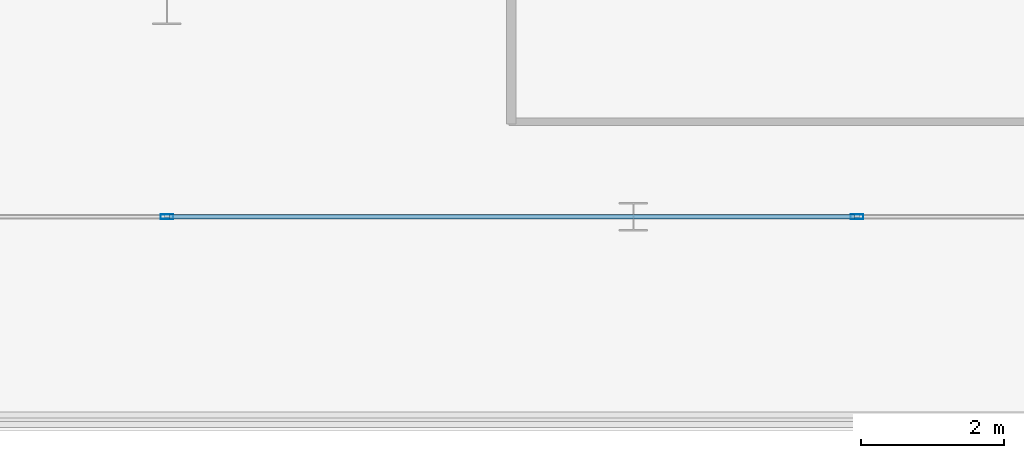
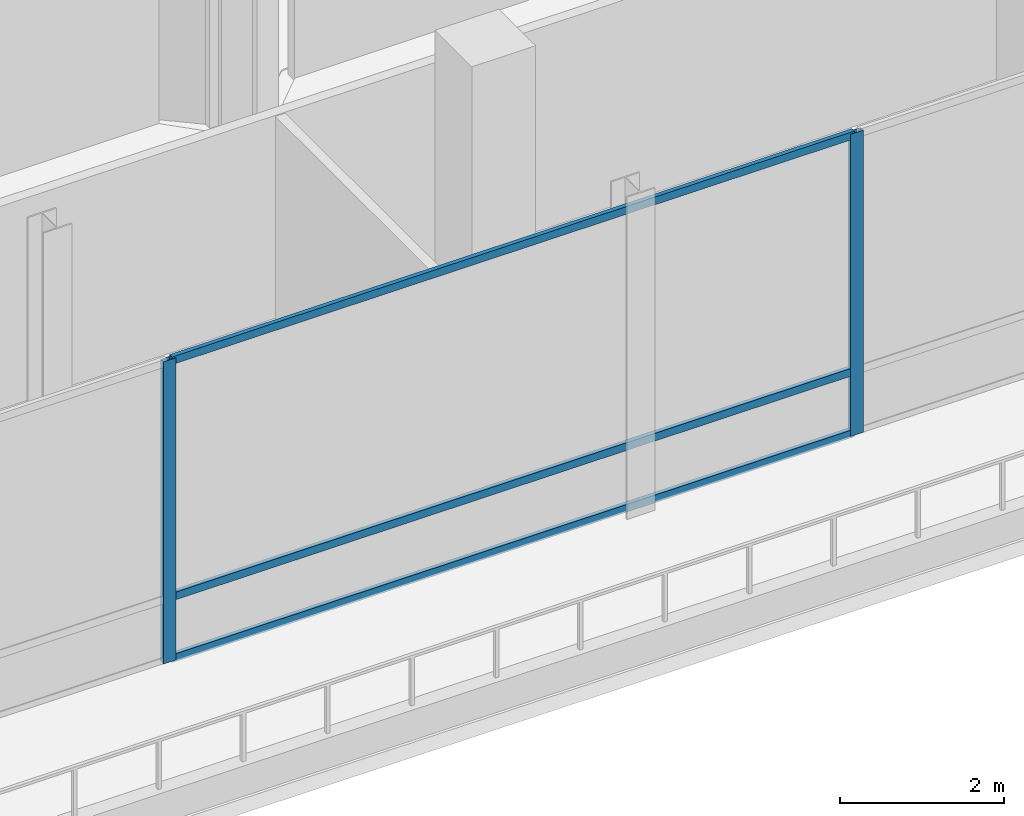
# One storey, part 11 of 39: 5 members, 1 element without a shape of its own.
"""IFC4 building model written with IfcOpenShell, lengths in metres."""

from ifc_helpers import new_model, si_unit, direction, frame, origin, origin_2d, place, context, subcontext, project, spatial, hollow_rectangle, extrude, material, layer, layer_set, material_profile, profile_set, type_object, element, aggregate, save


model = new_model("IFC4")

# Units and contexts
model_context = context("Model", 3, precision=1e-05, world=origin(), true_north=direction((0.0, 1.0)))
body_context = subcontext(model_context, "Body", "Model", "MODEL_VIEW")
ifc_project = project(units=[si_unit("LENGTHUNIT", "METRE"), si_unit("AREAUNIT", "SQUARE_METRE"), si_unit("VOLUMEUNIT", "CUBIC_METRE"), si_unit("PLANEANGLEUNIT", "RADIAN"), si_unit("MASSUNIT", "GRAM", prefix="KILO")], contexts=[model_context])

# Site, building, storey
site_placement = place(None, origin())
site = spatial("IfcSite", under=ifc_project, at=site_placement, CompositionType="ELEMENT")
building_placement = place(site_placement, origin())
building = spatial("IfcBuilding", under=site, at=building_placement, Name="Qianvela Tower", CompositionType="ELEMENT")
storey_placement = place(building_placement, frame((0.0, 0.0, 15.800048828125)))
storey = spatial("IfcBuildingStorey", under=building, at=storey_placement, Name="L03", CompositionType="ELEMENT", Elevation=15.800048828125)

# Curtain wall, members
ifc_material_1 = material(Name="Anodised Architectural Aluminium and Low-E Glass", Category="aluminium")
ifc_layer = layer(ifc_material_1, 0.179931640625)
ifc_layer_set = layer_set([ifc_layer], Name="Anodised Architectural Aluminium and Low-E Glass")
curtain_wall_type = type_object("IfcCurtainWallType", Name="CW-COMMONS", PredefinedType="USERDEFINED", material=ifc_layer_set)
curtain_wall_placement = place(storey_placement, origin())
curtain_wall = element("IfcCurtainWall", 1, at=curtain_wall_placement, inside=storey, type_object=curtain_wall_type, Name="L03 CW-COMMONS Curtain Wall 01", ObjectType="CURTAIN_WALL_SYSTEM", PredefinedType="USERDEFINED")
ifc_material_2 = material(Name="Anodised Architectural Aluminium 6063-T6", Category="aluminium")
ifc_material_profile_1 = material_profile(ifc_material_2, hollow_rectangle(XDim=0.070068359375, YDim=0.179931640625, WallThickness=0.0048828125, at=origin_2d()), Name="ALU-MULL-70x180")
ifc_profile_set_1 = profile_set([ifc_material_profile_1], Name="Anodised Architectural Aluminium 6063-T6")
member_type_1 = type_object("IfcMemberType", Name="CW-COMMONS-MULL", PredefinedType="MULLION", material=ifc_profile_set_1)
member_1_placement = place(storey_placement, frame((37.5, 4.5, 0.0), z_axis=(0.0, 0.0, 1.0), x_axis=(0.0, 1.0, 0.0)))
member_1 = element("IfcMember", 2, at=member_1_placement, type_object=member_type_1, Name="CW-2 mullion 4", PredefinedType="MULLION", context=body_context, shape_type="SweptSolid", body=[
    extrude(hollow_rectangle(XDim=0.070068359375, YDim=0.179931640625, WallThickness=0.0048828125, at=origin_2d()), origin(), (0.0, 0.0, 1.0), 4.5),
])
member_2_placement = place(storey_placement, frame((47.183349609375, 4.5, 0.0), z_axis=(0.0, 0.0, 1.0), x_axis=(0.0, 1.0, 0.0)))
member_2 = element("IfcMember", 3, at=member_2_placement, type_object=member_type_1, Name="CW-2 mullion 5", PredefinedType="MULLION", context=body_context, shape_type="SweptSolid", body=[
    extrude(hollow_rectangle(XDim=0.070068359375, YDim=0.179931640625, WallThickness=0.0048828125, at=origin_2d()), origin(), (0.0, 0.0, 1.0), 4.5),
])
ifc_material_3 = material(Name="Anodised Architectural Aluminium 6063-T6", Category="aluminium")
ifc_material_profile_2 = material_profile(ifc_material_3, hollow_rectangle(XDim=0.06005859375, YDim=0.114990234375, WallThickness=0.00390625, at=origin_2d()), Name="ALU-TRAN-60x115")
ifc_profile_set_2 = profile_set([ifc_material_profile_2], Name="Anodised Architectural Aluminium 6063-T6")
member_type_2 = type_object("IfcMemberType", Name="CW-COMMONS-TRAN", PredefinedType="USERDEFINED", material=ifc_profile_set_2)
member_3_placement = place(storey_placement, frame((37.534912109375, 4.5, 0.030029296875), z_axis=(1.0, 0.0, 0.0), x_axis=(0.0, 1.0, 0.0)))
member_3 = element("IfcMember", 4, at=member_3_placement, type_object=member_type_2, Name="CW-2 transom 4.1", ObjectType="TRANSOM", PredefinedType="USERDEFINED", context=body_context, shape_type="SweptSolid", body=[
    extrude(hollow_rectangle(XDim=0.06005859375, YDim=0.114990234375, WallThickness=0.00390625, at=origin_2d()), origin(), (0.0, 0.0, 1.0), 9.613525390625),
])
member_4_placement = place(storey_placement, frame((37.534912109375, 4.5, 0.949951171875), z_axis=(1.0, 0.0, 0.0), x_axis=(0.0, 1.0, 0.0)))
member_4 = element("IfcMember", 5, at=member_4_placement, type_object=member_type_2, Name="CW-2 transom 4.2", ObjectType="TRANSOM", PredefinedType="USERDEFINED", context=body_context, shape_type="SweptSolid", body=[
    extrude(hollow_rectangle(XDim=0.06005859375, YDim=0.114990234375, WallThickness=0.00390625, at=origin_2d()), origin(), (0.0, 0.0, 1.0), 9.613525390625),
])
member_5_placement = place(storey_placement, frame((37.534912109375, 4.5, 4.469970703125), z_axis=(1.0, 0.0, 0.0), x_axis=(0.0, 1.0, 0.0)))
member_5 = element("IfcMember", 6, at=member_5_placement, type_object=member_type_2, Name="CW-2 transom 4.3", ObjectType="TRANSOM", PredefinedType="USERDEFINED", context=body_context, shape_type="SweptSolid", body=[
    extrude(hollow_rectangle(XDim=0.06005859375, YDim=0.114990234375, WallThickness=0.00390625, at=origin_2d()), origin(), (0.0, 0.0, 1.0), 9.613525390625),
])
aggregate(curtain_wall, [member_1, member_2, member_3, member_4, member_5])

save(model, "model.ifc")
